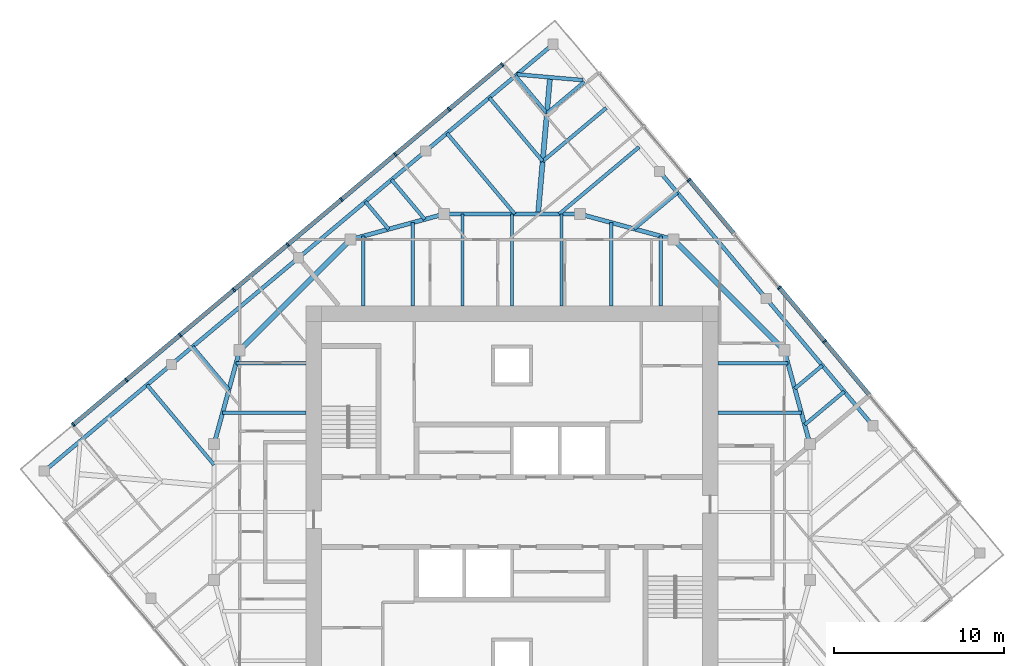
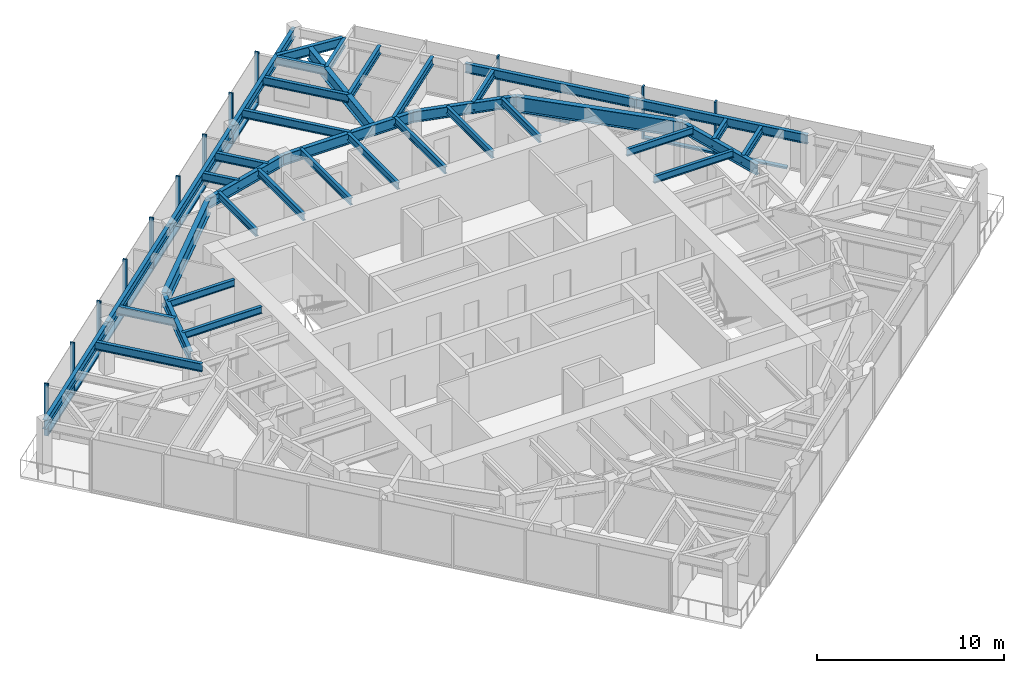
# One storey, part 4 of 12: 39 beams, 23 members, 2 elements without a shape of their own.
"""IFC4 building model written with IfcOpenShell, lengths in metres."""

from ifc_helpers import new_model, si_unit, direction, frame, origin, origin_2d, place, context, subcontext, project, spatial, rectangle, i_section, extrude, material, material_profile, profile_set, type_object, element, aggregate, save


model = new_model("IFC4")

# Units and contexts
model_context = context("Model", 3, precision=1e-05, world=origin(), true_north=direction((0.0, 1.0)))
body_context = subcontext(model_context, "Body", "Model", "MODEL_VIEW")
ifc_project = project(units=[si_unit("LENGTHUNIT", "METRE"), si_unit("AREAUNIT", "SQUARE_METRE"), si_unit("VOLUMEUNIT", "CUBIC_METRE"), si_unit("PLANEANGLEUNIT", "RADIAN"), si_unit("MASSUNIT", "GRAM", prefix="KILO")], contexts=[model_context])

# Site, building, storey
site_placement = place(None, origin())
site = spatial("IfcSite", under=ifc_project, at=site_placement, CompositionType="ELEMENT")
building_placement = place(site_placement, origin())
building = spatial("IfcBuilding", under=site, at=building_placement, Name="Torsade Residences", CompositionType="ELEMENT")
storey_placement = place(building_placement, frame((0.0, 0.0, 289.60009765625)))
storey = spatial("IfcBuildingStorey", under=building, at=storey_placement, Name="L80", CompositionType="ELEMENT", Elevation=289.60009765625)

# Beams
ifc_material_1 = material(Name="Steel grade 300", Category="steel")
ifc_material_profile_1 = material_profile(ifc_material_1, i_section(OverallWidth=0.300048828125, OverallDepth=0.800048828125, WebThickness=0.010009765625, FlangeThickness=0.02001953125, at=origin_2d()), Name="800WB146")
ifc_profile_set_1 = profile_set([ifc_material_profile_1], Name="Steel grade 300")
beam_type_1 = type_object("IfcBeamType", Name="CORNER GIRDER 800WB146", PredefinedType="BEAM", material=ifc_profile_set_1)
beam_1_placement = place(storey_placement, frame((42.234130859375, 55.53515625, 2.849853515625), z_axis=(-0.087172957961, -0.996193191806, 0.0), x_axis=(0.996193191806, -0.087172957961, 0.0)))
element("IfcBeam", 1, at=beam_1_placement, inside=storey, type_object=beam_type_1, Name="Corner girder 09 L81", PredefinedType="BEAM", context=body_context, shape_type="SweptSolid", body=[
    extrude(i_section(OverallWidth=0.300048828125, OverallDepth=0.800048828125, WebThickness=0.010009765625, FlangeThickness=0.02001953125, at=origin_2d()), origin(), (0.0, 0.0, 1.0), 8.06591796875),
])
ifc_material_2 = material(Name="Steel grade 300", Category="steel")
ifc_material_profile_2 = material_profile(ifc_material_2, i_section(OverallWidth=0.22802734375, OverallDepth=0.60205078125, WebThickness=0.010498046875, FlangeThickness=0.014892578125, FilletRadius=0.013916015625, at=origin_2d()), Name="610UB101")
ifc_profile_set_2 = profile_set([ifc_material_profile_2], Name="Steel grade 300")
beam_type_2 = type_object("IfcBeamType", Name="CORNER TRIMMER 610UB101", PredefinedType="BEAM", material=ifc_profile_set_2)
beam_2_placement = place(storey_placement, frame((40.296875, 55.70458984375, 2.948974609375), z_axis=(0.996196646947, -0.087133464362, 0.0), x_axis=(0.087133464362, 0.996196646947, 0.0)))
element("IfcBeam", 2, at=beam_2_placement, inside=storey, type_object=beam_type_2, Name="Corner trimmer 09 L81", PredefinedType="BEAM", context=body_context, shape_type="SweptSolid", body=[
    extrude(i_section(OverallWidth=0.22802734375, OverallDepth=0.60205078125, WebThickness=0.010498046875, FlangeThickness=0.014892578125, FilletRadius=0.013916015625, at=origin_2d()), origin(), (0.0, 0.0, 1.0), 3.88916015625),
])
ifc_material_3 = material(Name="Steel grade 300", Category="steel")
ifc_material_profile_3 = material_profile(ifc_material_3, i_section(OverallWidth=0.22802734375, OverallDepth=0.60205078125, WebThickness=0.010498046875, FlangeThickness=0.014892578125, FilletRadius=0.013916015625, at=origin_2d()), Name="610UB101")
ifc_profile_set_3 = profile_set([ifc_material_profile_3], Name="Steel grade 300")
beam_type_3 = type_object("IfcBeamType", Name="EDGE BEAM 610UB101", PredefinedType="SPANDREL", material=ifc_profile_set_3)
for number, where, z_axis, x_axis, name in (
    (3, (61.205078125, 35.0654296875, 2.948974609375), (-0.642779160279, 0.766051532934, 0.0), (-0.766051532934, -0.642779160279, 0.0), "Edge beam 06 L81"),
    (4, (54.93798828125, 42.534423828125, 2.948974609375), (-0.642806184154, 0.766028856906, 0.0), (-0.766028856906, -0.642806184154, 0.0), "Edge beam 07 L81"),
    (5, (42.403564453125, 57.47216796875, 2.948974609375), (-0.766051532934, -0.642779160279, 0.0), (0.642779160279, -0.766051532934, 0.0), "Edge beam 09 L81"),
    (6, (34.9345703125, 51.205078125, 2.948974609375), (-0.766051532934, -0.642779160279, 0.0), (0.642779160279, -0.766051532934, 0.0), "Edge beam 10 L81"),
    (7, (27.465576171875, 44.93798828125, 2.948974609375), (-0.766028856906, -0.642806184154, 0.0), (0.642806184154, -0.766028856906, 0.0), "Edge beam 11 L81"),
    (8, (19.996826171875, 38.670654296875, 2.948974609375), (-0.766051532934, -0.642779160279, 0.0), (0.642779160279, -0.766051532934, 0.0), "Edge beam 12 L81"),
):
    element("IfcBeam", number, at=place(storey_placement, frame(where, z_axis=z_axis, x_axis=x_axis)), inside=storey, type_object=beam_type_3, Name=name, PredefinedType="SPANDREL", context=body_context, shape_type="SweptSolid", body=[
        extrude(i_section(OverallWidth=0.22802734375, OverallDepth=0.60205078125, WebThickness=0.010498046875, FlangeThickness=0.014892578125, FilletRadius=0.013916015625, at=origin_2d()), origin(), (0.0, 0.0, 1.0), 9.75),
    ])

# Curtain wall, members
ifc_material_4 = material(Name="Aluminium and glass", Category="aluminium")
curtain_wall_type = type_object("IfcCurtainWallType", Name="FRITTED GLASS CURTAIN WALL HIGH ZONE", PredefinedType="NOTDEFINED", material=ifc_material_4)
curtain_wall_1_placement = place(storey_placement, origin())
curtain_wall_1 = element("IfcCurtainWall", 9, at=curtain_wall_1_placement, inside=storey, type_object=curtain_wall_type, Name="Curtain wall L80 face 4", PredefinedType="NOTDEFINED")
ifc_material_5 = material(Name="Aluminium mullion", Category="aluminium")
ifc_material_profile_4 = material_profile(ifc_material_5, rectangle(XDim=0.25, YDim=0.10009765625, at=origin_2d()), Name="HIGH ZONE CURTAIN WALL MULLION 250x100")
ifc_profile_set_4 = profile_set([ifc_material_profile_4], Name="Aluminium mullion")
member_type_1 = type_object("IfcMemberType", Name="HIGH ZONE CURTAIN WALL MULLION 250x100", PredefinedType="MULLION", material=ifc_profile_set_4)
member_1_placement = place(storey_placement, frame((58.35546875, 40.017333984375, 0.0), z_axis=(0.0, 0.0, 1.0), x_axis=(-0.766044437106, -0.642787616853, 0.0)))
member_1 = element("IfcMember", 10, at=member_1_placement, type_object=member_type_1, Name="Mullion 4", PredefinedType="MULLION", context=body_context, shape_type="SweptSolid", body=[
    extrude(rectangle(XDim=0.25, YDim=0.10009765625, at=origin_2d()), origin(), (0.0, 0.0, 1.0), 3.39990234375),
])
member_2_placement = place(storey_placement, frame((55.703857421875, 43.17724609375, 0.0), z_axis=(0.0, 0.0, 1.0), x_axis=(-0.766044437106, -0.642787616853, 0.0)))
member_2 = element("IfcMember", 11, at=member_2_placement, type_object=member_type_1, Name="Mullion 5", PredefinedType="MULLION", context=body_context, shape_type="SweptSolid", body=[
    extrude(rectangle(XDim=0.25, YDim=0.10009765625, at=origin_2d()), origin(), (0.0, 0.0, 1.0), 3.39990234375),
])
member_3_placement = place(storey_placement, frame((50.40087890625, 49.4970703125, 0.0), z_axis=(0.0, 0.0, 1.0), x_axis=(-0.766044437106, -0.642787616853, 0.0)))
member_3 = element("IfcMember", 12, at=member_3_placement, type_object=member_type_1, Name="Mullion 7", PredefinedType="MULLION", context=body_context, shape_type="SweptSolid", body=[
    extrude(rectangle(XDim=0.25, YDim=0.10009765625, at=origin_2d()), origin(), (0.0, 0.0, 1.0), 3.39990234375),
])

curtain_wall_2_placement = place(storey_placement, origin())
curtain_wall_2 = element("IfcCurtainWall", 13, at=curtain_wall_2_placement, inside=storey, type_object=curtain_wall_type, Name="Curtain wall L80 face 7", PredefinedType="NOTDEFINED")
member_4_placement = place(storey_placement, frame((39.42431640625, 56.27783203125, 0.0), z_axis=(0.0, 0.0, 1.0), x_axis=(0.642787616853, -0.766044437106, 0.0)))
member_4 = element("IfcMember", 14, at=member_4_placement, type_object=member_type_1, Name="Mullion 1", PredefinedType="MULLION", context=body_context, shape_type="SweptSolid", body=[
    extrude(rectangle(XDim=0.25, YDim=0.10009765625, at=origin_2d()), origin(), (0.0, 0.0, 1.0), 3.39990234375),
])
member_5_placement = place(storey_placement, frame((36.302734375, 53.658447265625, 0.0), z_axis=(0.0, 0.0, 1.0), x_axis=(0.642787616853, -0.766044437106, 0.0)))
member_5 = element("IfcMember", 15, at=member_5_placement, type_object=member_type_1, Name="Mullion 2", PredefinedType="MULLION", context=body_context, shape_type="SweptSolid", body=[
    extrude(rectangle(XDim=0.25, YDim=0.10009765625, at=origin_2d()), origin(), (0.0, 0.0, 1.0), 3.39990234375),
])
member_6_placement = place(storey_placement, frame((33.142822265625, 51.0068359375, 0.0), z_axis=(0.0, 0.0, 1.0), x_axis=(0.642787616853, -0.766044437106, 0.0)))
member_6 = element("IfcMember", 16, at=member_6_placement, type_object=member_type_1, Name="Mullion 3", PredefinedType="MULLION", context=body_context, shape_type="SweptSolid", body=[
    extrude(rectangle(XDim=0.25, YDim=0.10009765625, at=origin_2d()), origin(), (0.0, 0.0, 1.0), 3.39990234375),
])
member_7_placement = place(storey_placement, frame((29.982666015625, 48.35546875, 0.0), z_axis=(0.0, 0.0, 1.0), x_axis=(0.642787616853, -0.766044437106, 0.0)))
member_7 = element("IfcMember", 17, at=member_7_placement, type_object=member_type_1, Name="Mullion 4", PredefinedType="MULLION", context=body_context, shape_type="SweptSolid", body=[
    extrude(rectangle(XDim=0.25, YDim=0.10009765625, at=origin_2d()), origin(), (0.0, 0.0, 1.0), 3.39990234375),
])
member_8_placement = place(storey_placement, frame((26.82275390625, 45.703857421875, 0.0), z_axis=(0.0, 0.0, 1.0), x_axis=(0.642787616853, -0.766044437106, 0.0)))
member_8 = element("IfcMember", 18, at=member_8_placement, type_object=member_type_1, Name="Mullion 5", PredefinedType="MULLION", context=body_context, shape_type="SweptSolid", body=[
    extrude(rectangle(XDim=0.25, YDim=0.10009765625, at=origin_2d()), origin(), (0.0, 0.0, 1.0), 3.39990234375),
])
member_9_placement = place(storey_placement, frame((23.662841796875, 43.052490234375, 0.0), z_axis=(0.0, 0.0, 1.0), x_axis=(0.642787616853, -0.766044437106, 0.0)))
member_9 = element("IfcMember", 19, at=member_9_placement, type_object=member_type_1, Name="Mullion 6", PredefinedType="MULLION", context=body_context, shape_type="SweptSolid", body=[
    extrude(rectangle(XDim=0.25, YDim=0.10009765625, at=origin_2d()), origin(), (0.0, 0.0, 1.0), 3.39990234375),
])
member_10_placement = place(storey_placement, frame((20.5029296875, 40.40087890625, 0.0), z_axis=(0.0, 0.0, 1.0), x_axis=(0.642787616853, -0.766044437106, 0.0)))
member_10 = element("IfcMember", 20, at=member_10_placement, type_object=member_type_1, Name="Mullion 7", PredefinedType="MULLION", context=body_context, shape_type="SweptSolid", body=[
    extrude(rectangle(XDim=0.25, YDim=0.10009765625, at=origin_2d()), origin(), (0.0, 0.0, 1.0), 3.39990234375),
])
member_11_placement = place(storey_placement, frame((17.343017578125, 37.74951171875, 0.0), z_axis=(0.0, 0.0, 1.0), x_axis=(0.642787616853, -0.766044437106, 0.0)))
member_11 = element("IfcMember", 21, at=member_11_placement, type_object=member_type_1, Name="Mullion 8", PredefinedType="MULLION", context=body_context, shape_type="SweptSolid", body=[
    extrude(rectangle(XDim=0.25, YDim=0.10009765625, at=origin_2d()), origin(), (0.0, 0.0, 1.0), 3.39990234375),
])
member_12_placement = place(storey_placement, frame((14.221435546875, 35.130126953125, 0.0), z_axis=(0.0, 0.0, 1.0), x_axis=(0.642787616853, -0.766044437106, 0.0)))
member_12 = element("IfcMember", 22, at=member_12_placement, type_object=member_type_1, Name="Mullion 9", PredefinedType="MULLION", context=body_context, shape_type="SweptSolid", body=[
    extrude(rectangle(XDim=0.25, YDim=0.10009765625, at=origin_2d()), origin(), (0.0, 0.0, 1.0), 3.39990234375),
])

# Member
ifc_material_6 = material(Name="Aluminium transom", Category="aluminium")
ifc_material_profile_5 = material_profile(ifc_material_6, rectangle(XDim=0.25, YDim=0.1201171875, at=origin_2d()), Name="HIGH ZONE CURTAIN WALL TRANSOM 250x120")
ifc_profile_set_5 = profile_set([ifc_material_profile_5], Name="Aluminium transom")
member_type_2 = type_object("IfcMemberType", Name="HIGH ZONE CURTAIN WALL TRANSOM 250x120", PredefinedType="USERDEFINED", material=ifc_profile_set_5)
member_13_placement = place(storey_placement, frame((60.974853515625, 36.8955078125, 0.059814453125), z_axis=(-0.642793719372, 0.766039316443, 0.0), x_axis=(-0.766039316443, -0.642793719372, 0.0)))
member_13 = element("IfcMember", 23, at=member_13_placement, type_object=member_type_2, Name="Transom 3.1", ObjectType="TRANSOM", PredefinedType="USERDEFINED", context=body_context, shape_type="SweptSolid", body=[
    extrude(rectangle(XDim=0.25, YDim=0.1201171875, at=origin_2d()), origin(), (0.0, 0.0, 1.0), 4.025146484375),
])

member_14_placement = place(storey_placement, frame((58.3232421875, 40.055419921875, 0.059814453125), z_axis=(-0.6427581255, 0.766069182322, 0.0), x_axis=(-0.766069182322, -0.6427581255, 0.0)))
member_14 = element("IfcMember", 24, at=member_14_placement, type_object=member_type_2, Name="Transom 4.1", ObjectType="TRANSOM", PredefinedType="USERDEFINED", context=body_context, shape_type="SweptSolid", body=[
    extrude(rectangle(XDim=0.25, YDim=0.1201171875, at=origin_2d()), origin(), (0.0, 0.0, 1.0), 4.025146484375),
])

member_15_placement = place(storey_placement, frame((53.020263671875, 46.37548828125, 0.059814453125), z_axis=(-0.642787992616, 0.766044121803, 0.0), x_axis=(-0.766044121803, -0.642787992616, 0.0)))
member_15 = element("IfcMember", 25, at=member_15_placement, type_object=member_type_2, Name="Transom 6.1", ObjectType="TRANSOM", PredefinedType="USERDEFINED", context=body_context, shape_type="SweptSolid", body=[
    extrude(rectangle(XDim=0.25, YDim=0.1201171875, at=origin_2d()), origin(), (0.0, 0.0, 1.0), 4.02490234375),
])

aggregate(curtain_wall_1, [member_1, member_2, member_3, member_13, member_14, member_15])

member_16_placement = place(storey_placement, frame((39.385986328125, 56.24560546875, 0.059814453125), z_axis=(-0.766021778456, -0.642814619413, 0.0), x_axis=(0.642814619413, -0.766021778456, 0.0)))
member_16 = element("IfcMember", 26, at=member_16_placement, type_object=member_type_2, Name="Transom 1.1", ObjectType="TRANSOM", PredefinedType="USERDEFINED", context=body_context, shape_type="SweptSolid", body=[
    extrude(rectangle(XDim=0.25, YDim=0.1201171875, at=origin_2d()), origin(), (0.0, 0.0, 1.0), 3.97509765625),
])

member_17_placement = place(storey_placement, frame((36.264404296875, 53.626220703125, 0.059814453125), z_axis=(-0.766069182322, -0.6427581255, 0.0), x_axis=(0.6427581255, -0.766069182322, 0.0)))
member_17 = element("IfcMember", 27, at=member_17_placement, type_object=member_type_2, Name="Transom 2.1", ObjectType="TRANSOM", PredefinedType="USERDEFINED", context=body_context, shape_type="SweptSolid", body=[
    extrude(rectangle(XDim=0.25, YDim=0.1201171875, at=origin_2d()), origin(), (0.0, 0.0, 1.0), 4.025146484375),
])

member_18_placement = place(storey_placement, frame((33.1044921875, 50.974853515625, 0.059814453125), z_axis=(-0.766039316443, -0.642793719372, 0.0), x_axis=(0.642793719372, -0.766039316443, 0.0)))
member_18 = element("IfcMember", 28, at=member_18_placement, type_object=member_type_2, Name="Transom 3.1", ObjectType="TRANSOM", PredefinedType="USERDEFINED", context=body_context, shape_type="SweptSolid", body=[
    extrude(rectangle(XDim=0.25, YDim=0.1201171875, at=origin_2d()), origin(), (0.0, 0.0, 1.0), 4.025146484375),
])

member_19_placement = place(storey_placement, frame((29.944580078125, 48.3232421875, 0.059814453125), z_axis=(-0.766069182322, -0.6427581255, 0.0), x_axis=(0.6427581255, -0.766069182322, 0.0)))
member_19 = element("IfcMember", 29, at=member_19_placement, type_object=member_type_2, Name="Transom 4.1", ObjectType="TRANSOM", PredefinedType="USERDEFINED", context=body_context, shape_type="SweptSolid", body=[
    extrude(rectangle(XDim=0.25, YDim=0.1201171875, at=origin_2d()), origin(), (0.0, 0.0, 1.0), 4.025146484375),
])

member_20_placement = place(storey_placement, frame((26.78466796875, 45.671875, 0.059814453125), z_axis=(-0.766039316443, -0.642793719372, 0.0), x_axis=(0.642793719372, -0.766039316443, 0.0)))
member_20 = element("IfcMember", 30, at=member_20_placement, type_object=member_type_2, Name="Transom 5.1", ObjectType="TRANSOM", PredefinedType="USERDEFINED", context=body_context, shape_type="SweptSolid", body=[
    extrude(rectangle(XDim=0.25, YDim=0.1201171875, at=origin_2d()), origin(), (0.0, 0.0, 1.0), 4.025146484375),
])

member_21_placement = place(storey_placement, frame((23.62451171875, 43.020263671875, 0.059814453125), z_axis=(-0.766044121803, -0.642787992616, 0.0), x_axis=(0.642787992616, -0.766044121803, 0.0)))
member_21 = element("IfcMember", 31, at=member_21_placement, type_object=member_type_2, Name="Transom 6.1", ObjectType="TRANSOM", PredefinedType="USERDEFINED", context=body_context, shape_type="SweptSolid", body=[
    extrude(rectangle(XDim=0.25, YDim=0.1201171875, at=origin_2d()), origin(), (0.0, 0.0, 1.0), 4.02490234375),
])

member_22_placement = place(storey_placement, frame((20.464599609375, 40.36865234375, 0.059814453125), z_axis=(-0.766044121803, -0.642787992616, 0.0), x_axis=(0.642787992616, -0.766044121803, 0.0)))
member_22 = element("IfcMember", 32, at=member_22_placement, type_object=member_type_2, Name="Transom 7.1", ObjectType="TRANSOM", PredefinedType="USERDEFINED", context=body_context, shape_type="SweptSolid", body=[
    extrude(rectangle(XDim=0.25, YDim=0.1201171875, at=origin_2d()), origin(), (0.0, 0.0, 1.0), 4.02490234375),
])

member_23_placement = place(storey_placement, frame((17.3046875, 37.71728515625, 0.059814453125), z_axis=(-0.766021778456, -0.642814619413, 0.0), x_axis=(0.642814619413, -0.766021778456, 0.0)))
member_23 = element("IfcMember", 33, at=member_23_placement, type_object=member_type_2, Name="Transom 8.1", ObjectType="TRANSOM", PredefinedType="USERDEFINED", context=body_context, shape_type="SweptSolid", body=[
    extrude(rectangle(XDim=0.25, YDim=0.1201171875, at=origin_2d()), origin(), (0.0, 0.0, 1.0), 3.97509765625),
])

aggregate(curtain_wall_2, [member_4, member_5, member_6, member_7, member_8, member_9, member_10, member_11, member_12, member_16, member_17, member_18, member_19, member_20, member_21, member_22, member_23])

# Beams
ifc_material_7 = material(Name="Steel grade 300", Category="steel")
ifc_material_profile_6 = material_profile(ifc_material_7, i_section(OverallWidth=0.18994140625, OverallDepth=0.4541015625, WebThickness=0.008544921875, FlangeThickness=0.0126953125, FilletRadius=0.011474609375, at=origin_2d()), Name="460UB67.1")
ifc_profile_set_6 = profile_set([ifc_material_profile_6], Name="Steel grade 300")
beam_type_4 = type_object("IfcBeamType", Name="INNER FLOOR BEAM 460UB67.1", PredefinedType="JOIST", material=ifc_profile_set_6)
beam_3_placement = place(storey_placement, frame((31.262451171875, 42.10009765625, 3.02294921875), z_axis=(0.0, 1.0, 0.0), x_axis=(-1.0, 0.0, 0.0)))
element("IfcBeam", 34, at=beam_3_placement, inside=storey, type_object=beam_type_4, Name="Inner floor beam IN01 L81", PredefinedType="JOIST", context=body_context, shape_type="SweptSolid", body=[
    extrude(i_section(OverallWidth=0.18994140625, OverallDepth=0.4541015625, WebThickness=0.008544921875, FlangeThickness=0.0126953125, FilletRadius=0.011474609375, at=origin_2d()), origin(), (0.0, 0.0, 1.0), 4.10791015625),
])
beam_4_placement = place(storey_placement, frame((34.175048828125, 42.10009765625, 3.02294921875), z_axis=(0.0, 1.0, 0.0), x_axis=(-1.0, 0.0, 0.0)))
element("IfcBeam", 35, at=beam_4_placement, inside=storey, type_object=beam_type_4, Name="Inner floor beam IN02 L81", PredefinedType="JOIST", context=body_context, shape_type="SweptSolid", body=[
    extrude(i_section(OverallWidth=0.18994140625, OverallDepth=0.4541015625, WebThickness=0.008544921875, FlangeThickness=0.0126953125, FilletRadius=0.011474609375, at=origin_2d()), origin(), (0.0, 0.0, 1.0), 4.902099609375),
])
for number, where, z_axis, x_axis, name in (
    (36, (37.08740234375, 42.10009765625, 3.02294921875), (0.0, 1.0, 0.0), (-1.0, 0.0, 0.0), "Inner floor beam IN03 L81"),
    (37, (40.0, 42.10009765625, 3.02294921875), (0.0, 1.0, 0.0), (-1.0, 0.0, 0.0), "Inner floor beam IN04 L81"),
    (38, (42.91259765625, 42.10009765625, 3.02294921875), (0.0, 1.0, 0.0), (-1.0, 0.0, 0.0), "Inner floor beam IN05 L81"),
):
    element("IfcBeam", number, at=place(storey_placement, frame(where, z_axis=z_axis, x_axis=x_axis)), inside=storey, type_object=beam_type_4, Name=name, PredefinedType="JOIST", context=body_context, shape_type="SweptSolid", body=[
        extrude(i_section(OverallWidth=0.18994140625, OverallDepth=0.4541015625, WebThickness=0.008544921875, FlangeThickness=0.0126953125, FilletRadius=0.011474609375, at=origin_2d()), origin(), (0.0, 0.0, 1.0), 5.39990234375),
    ])
beam_5_placement = place(storey_placement, frame((45.824951171875, 42.10009765625, 3.02294921875), z_axis=(0.0, 1.0, 0.0), x_axis=(-1.0, 0.0, 0.0)))
element("IfcBeam", 39, at=beam_5_placement, inside=storey, type_object=beam_type_4, Name="Inner floor beam IN06 L81", PredefinedType="JOIST", context=body_context, shape_type="SweptSolid", body=[
    extrude(i_section(OverallWidth=0.18994140625, OverallDepth=0.4541015625, WebThickness=0.008544921875, FlangeThickness=0.0126953125, FilletRadius=0.011474609375, at=origin_2d()), origin(), (0.0, 0.0, 1.0), 4.902099609375),
])
beam_6_placement = place(storey_placement, frame((48.737548828125, 42.10009765625, 3.02294921875), z_axis=(0.0, 1.0, 0.0), x_axis=(-1.0, 0.0, 0.0)))
element("IfcBeam", 40, at=beam_6_placement, inside=storey, type_object=beam_type_4, Name="Inner floor beam IN07 L81", PredefinedType="JOIST", context=body_context, shape_type="SweptSolid", body=[
    extrude(i_section(OverallWidth=0.18994140625, OverallDepth=0.4541015625, WebThickness=0.008544921875, FlangeThickness=0.0126953125, FilletRadius=0.011474609375, at=origin_2d()), origin(), (0.0, 0.0, 1.0), 4.10791015625),
])
beam_7_placement = place(storey_placement, frame((52.10009765625, 35.824951171875, 3.02294921875), z_axis=(1.0, 0.0, 0.0), x_axis=(0.0, 1.0, 0.0)))
element("IfcBeam", 41, at=beam_7_placement, inside=storey, type_object=beam_type_4, Name="Inner floor beam IE06 L81", PredefinedType="JOIST", context=body_context, shape_type="SweptSolid", body=[
    extrude(i_section(OverallWidth=0.18994140625, OverallDepth=0.4541015625, WebThickness=0.008544921875, FlangeThickness=0.0126953125, FilletRadius=0.011474609375, at=origin_2d()), origin(), (0.0, 0.0, 1.0), 4.902099609375),
])
for number, where, z_axis, x_axis, name in (
    (42, (52.10009765625, 38.737548828125, 3.02294921875), (1.0, 0.0, 0.0), (0.0, 1.0, 0.0), "Inner floor beam IE07 L81"),
    (43, (27.89990234375, 38.737548828125, 3.02294921875), (-1.0, 0.0, 0.0), (0.0, -1.0, 0.0), "Inner floor beam IW01 L81"),
):
    element("IfcBeam", number, at=place(storey_placement, frame(where, z_axis=z_axis, x_axis=x_axis)), inside=storey, type_object=beam_type_4, Name=name, PredefinedType="JOIST", context=body_context, shape_type="SweptSolid", body=[
        extrude(i_section(OverallWidth=0.18994140625, OverallDepth=0.4541015625, WebThickness=0.008544921875, FlangeThickness=0.0126953125, FilletRadius=0.011474609375, at=origin_2d()), origin(), (0.0, 0.0, 1.0), 4.10791015625),
    ])
beam_8_placement = place(storey_placement, frame((27.89990234375, 35.824951171875, 3.02294921875), z_axis=(-1.0, 0.0, 0.0), x_axis=(0.0, -1.0, 0.0)))
element("IfcBeam", 44, at=beam_8_placement, inside=storey, type_object=beam_type_4, Name="Inner floor beam IW02 L81", PredefinedType="JOIST", context=body_context, shape_type="SweptSolid", body=[
    extrude(i_section(OverallWidth=0.18994140625, OverallDepth=0.4541015625, WebThickness=0.008544921875, FlangeThickness=0.0126953125, FilletRadius=0.011474609375, at=origin_2d()), origin(), (0.0, 0.0, 1.0), 4.902099609375),
])
ifc_material_8 = material(Name="Steel grade 300", Category="steel")
ifc_material_profile_7 = material_profile(ifc_material_8, i_section(OverallWidth=0.300048828125, OverallDepth=1.0, WebThickness=0.01611328125, FlangeThickness=0.028076171875, at=origin_2d()), Name="1000WB215")
ifc_profile_set_7 = profile_set([ifc_material_profile_7], Name="Steel grade 300")
beam_type_5 = type_object("IfcBeamType", Name="RING CORNER GIRDER 1000WB215", PredefinedType="BEAM", material=ifc_profile_set_7)
for number, where, z_axis, x_axis, name in (
    (45, (56.0, 39.5, 2.75), (-0.707106781187, 0.707106781187, 0.0), (-0.707106781187, -0.707106781187, 0.0), "Ring girder IR03 L81"),
    (46, (30.5, 46.0, 2.75), (-0.707106781187, -0.707106781187, 0.0), (0.707106781187, -0.707106781187, 0.0), "Ring girder IR07 L81"),
):
    element("IfcBeam", number, at=place(storey_placement, frame(where, z_axis=z_axis, x_axis=x_axis)), inside=storey, type_object=beam_type_5, Name=name, PredefinedType="BEAM", context=body_context, shape_type="SweptSolid", body=[
        extrude(i_section(OverallWidth=0.300048828125, OverallDepth=1.0, WebThickness=0.01611328125, FlangeThickness=0.028076171875, at=origin_2d()), origin(), (0.0, 0.0, 1.0), 9.1923828125),
    ])
ifc_material_9 = material(Name="Steel grade 300", Category="steel")
ifc_material_profile_8 = material_profile(ifc_material_9, i_section(OverallWidth=0.25, OverallDepth=0.699951171875, WebThickness=0.010009765625, FlangeThickness=0.02001953125, at=origin_2d()), Name="700WB130")
ifc_profile_set_8 = profile_set([ifc_material_profile_8], Name="Steel grade 300")
beam_type_6 = type_object("IfcBeamType", Name="RING GIRDER 700WB130", PredefinedType="BEAM", material=ifc_profile_set_8)
for number, where, z_axis, x_axis, name in (
    (47, (57.5, 34.0, 2.89990234375), (-0.263117405792, 0.964763821238, 0.0), (-0.964763821238, -0.263117405792, 0.0), "Ring girder IR02 L81"),
    (48, (49.5, 46.0, 2.89990234375), (-0.964763821238, 0.263117405792, 0.0), (-0.263117405792, -0.964763821238, 0.0), "Ring girder IR04 L81"),
):
    element("IfcBeam", number, at=place(storey_placement, frame(where, z_axis=z_axis, x_axis=x_axis)), inside=storey, type_object=beam_type_6, Name=name, PredefinedType="BEAM", context=body_context, shape_type="SweptSolid", body=[
        extrude(i_section(OverallWidth=0.25, OverallDepth=0.699951171875, WebThickness=0.010009765625, FlangeThickness=0.02001953125, at=origin_2d()), origin(), (0.0, 0.0, 1.0), 5.700927734375),
    ])
beam_9_placement = place(storey_placement, frame((44.0, 47.5, 2.89990234375), z_axis=(-1.0, 0.0, 0.0), x_axis=(0.0, -1.0, 0.0)))
element("IfcBeam", 49, at=beam_9_placement, inside=storey, type_object=beam_type_6, Name="Ring girder IR05 L81", PredefinedType="BEAM", context=body_context, shape_type="SweptSolid", body=[
    extrude(i_section(OverallWidth=0.25, OverallDepth=0.699951171875, WebThickness=0.010009765625, FlangeThickness=0.02001953125, at=origin_2d()), origin(), (0.0, 0.0, 1.0), 8.0),
])
for number, where, z_axis, x_axis, name in (
    (50, (36.0, 47.5, 2.89990234375), (-0.964763821238, -0.263117405792, 0.0), (0.263117405792, -0.964763821238, 0.0), "Ring girder IR06 L81"),
    (51, (24.0, 39.5, 2.89990234375), (-0.263117405792, -0.964763821238, 0.0), (0.964763821238, -0.263117405792, 0.0), "Ring girder IR08 L81"),
):
    element("IfcBeam", number, at=place(storey_placement, frame(where, z_axis=z_axis, x_axis=x_axis)), inside=storey, type_object=beam_type_6, Name=name, PredefinedType="BEAM", context=body_context, shape_type="SweptSolid", body=[
        extrude(i_section(OverallWidth=0.25, OverallDepth=0.699951171875, WebThickness=0.010009765625, FlangeThickness=0.02001953125, at=origin_2d()), origin(), (0.0, 0.0, 1.0), 5.700927734375),
    ])
ifc_material_10 = material(Name="Steel grade 300", Category="steel")
ifc_material_profile_9 = material_profile(ifc_material_10, i_section(OverallWidth=0.208984375, OverallDepth=0.532958984375, WebThickness=0.01025390625, FlangeThickness=0.015625, FilletRadius=0.013916015625, at=origin_2d()), Name="530UB92.4")
ifc_profile_set_9 = profile_set([ifc_material_profile_9], Name="Steel grade 300")
beam_type_7 = type_object("IfcBeamType", Name="SECONDARY BEAM 530UB92.4", PredefinedType="JOIST", material=ifc_profile_set_9)
beam_10_placement = place(storey_placement, frame((59.517822265625, 37.076171875, 2.9833984375), z_axis=(-0.766080361029, -0.64274480196, 0.0), x_axis=(0.64274480196, -0.766080361029, 0.0)))
element("IfcBeam", 52, at=beam_10_placement, inside=storey, type_object=beam_type_7, Name="Floor beam FE04 L81", PredefinedType="JOIST", context=body_context, shape_type="SweptSolid", body=[
    extrude(i_section(OverallWidth=0.208984375, OverallDepth=0.532958984375, WebThickness=0.01025390625, FlangeThickness=0.015625, FilletRadius=0.013916015625, at=origin_2d()), origin(), (0.0, 0.0, 1.0), 3.03466796875),
])
beam_11_placement = place(storey_placement, frame((58.232177734375, 38.6083984375, 2.9833984375), z_axis=(-0.766057560226, -0.642771977004, 0.0), x_axis=(0.642771977004, -0.766057560226, 0.0)))
element("IfcBeam", 53, at=beam_11_placement, inside=storey, type_object=beam_type_7, Name="Floor beam FE05 L81", PredefinedType="JOIST", context=body_context, shape_type="SweptSolid", body=[
    extrude(i_section(OverallWidth=0.208984375, OverallDepth=0.532958984375, WebThickness=0.01025390625, FlangeThickness=0.015625, FilletRadius=0.013916015625, at=origin_2d()), origin(), (0.0, 0.0, 1.0), 2.113037109375),
])
beam_12_placement = place(storey_placement, frame((49.71533203125, 48.758544921875, 2.9833984375), z_axis=(-0.766044990879, -0.642786956891, 0.0), x_axis=(0.642786956891, -0.766044990879, 0.0)))
element("IfcBeam", 54, at=beam_12_placement, inside=storey, type_object=beam_type_7, Name="Floor beam FE09 L81", PredefinedType="JOIST", context=body_context, shape_type="SweptSolid", body=[
    extrude(i_section(OverallWidth=0.208984375, OverallDepth=0.532958984375, WebThickness=0.01025390625, FlangeThickness=0.015625, FilletRadius=0.013916015625, at=origin_2d()), origin(), (0.0, 0.0, 1.0), 3.307861328125),
])
beam_13_placement = place(storey_placement, frame((47.465576171875, 51.439697265625, 2.9833984375), z_axis=(-0.766039049329, -0.642794037701, 0.0), x_axis=(0.642794037701, -0.766039049329, 0.0)))
element("IfcBeam", 55, at=beam_13_placement, inside=storey, type_object=beam_type_7, Name="Floor beam FE10 L81", PredefinedType="JOIST", context=body_context, shape_type="SweptSolid", body=[
    extrude(i_section(OverallWidth=0.208984375, OverallDepth=0.532958984375, WebThickness=0.01025390625, FlangeThickness=0.015625, FilletRadius=0.013916015625, at=origin_2d()), origin(), (0.0, 0.0, 1.0), 6.12890625),
])
beam_14_placement = place(storey_placement, frame((45.537109375, 53.73779296875, 2.9833984375), z_axis=(-0.766041186946, -0.642791490223, 0.0), x_axis=(0.642791490223, -0.766041186946, 0.0)))
element("IfcBeam", 56, at=beam_14_placement, inside=storey, type_object=beam_type_7, Name="Floor beam FE11 L81", PredefinedType="JOIST", context=body_context, shape_type="SweptSolid", body=[
    extrude(i_section(OverallWidth=0.208984375, OverallDepth=0.532958984375, WebThickness=0.01025390625, FlangeThickness=0.015625, FilletRadius=0.013916015625, at=origin_2d()), origin(), (0.0, 0.0, 1.0), 4.875),
])
for number, where, z_axis, x_axis, name in (
    (57, (44.25146484375, 55.269775390625, 2.9833984375), (-0.766066093402, -0.642761807001, 0.0), (0.642761807001, -0.766066093402, 0.0), "Floor beam FE12 L81"),
    (58, (40.201171875, 55.624267578125, 2.9833984375), (0.642761807001, -0.766066093402, 0.0), (0.766066093402, 0.642761807001, 0.0), "Floor beam FN01 L81"),
):
    element("IfcBeam", number, at=place(storey_placement, frame(where, z_axis=z_axis, x_axis=x_axis)), inside=storey, type_object=beam_type_7, Name=name, PredefinedType="JOIST", context=body_context, shape_type="SweptSolid", body=[
        extrude(i_section(OverallWidth=0.208984375, OverallDepth=0.532958984375, WebThickness=0.01025390625, FlangeThickness=0.015625, FilletRadius=0.013916015625, at=origin_2d()), origin(), (0.0, 0.0, 1.0), 2.875),
    ])
beam_15_placement = place(storey_placement, frame((38.6689453125, 54.338623046875, 2.9833984375), z_axis=(0.642820877376, -0.766016526982, 0.0), x_axis=(0.766016526982, 0.642820877376, 0.0)))
element("IfcBeam", 59, at=beam_15_placement, inside=storey, type_object=beam_type_7, Name="Floor beam FN02 L81", PredefinedType="JOIST", context=body_context, shape_type="SweptSolid", body=[
    extrude(i_section(OverallWidth=0.208984375, OverallDepth=0.532958984375, WebThickness=0.01025390625, FlangeThickness=0.015625, FilletRadius=0.013916015625, at=origin_2d()), origin(), (0.0, 0.0, 1.0), 4.875),
])
beam_16_placement = place(storey_placement, frame((36.179443359375, 52.24951171875, 2.9833984375), z_axis=(0.642791209238, -0.766041422722, 0.0), x_axis=(0.766041422722, 0.642791209238, 0.0)))
element("IfcBeam", 60, at=beam_16_placement, inside=storey, type_object=beam_type_7, Name="Floor beam FN03 L81", PredefinedType="JOIST", context=body_context, shape_type="SweptSolid", body=[
    extrude(i_section(OverallWidth=0.208984375, OverallDepth=0.532958984375, WebThickness=0.01025390625, FlangeThickness=0.015625, FilletRadius=0.013916015625, at=origin_2d()), origin(), (0.0, 0.0, 1.0), 6.199951171875),
])
beam_17_placement = place(storey_placement, frame((32.923828125, 49.517822265625, 2.9833984375), z_axis=(0.64274480196, -0.766080361029, 0.0), x_axis=(0.766080361029, 0.64274480196, 0.0)))
element("IfcBeam", 61, at=beam_17_placement, inside=storey, type_object=beam_type_7, Name="Floor beam FN04 L81", PredefinedType="JOIST", context=body_context, shape_type="SweptSolid", body=[
    extrude(i_section(OverallWidth=0.208984375, OverallDepth=0.532958984375, WebThickness=0.01025390625, FlangeThickness=0.015625, FilletRadius=0.013916015625, at=origin_2d()), origin(), (0.0, 0.0, 1.0), 3.03466796875),
])
beam_18_placement = place(storey_placement, frame((31.3916015625, 48.232177734375, 2.9833984375), z_axis=(0.642771977004, -0.766057560226, 0.0), x_axis=(0.766057560226, 0.642771977004, 0.0)))
element("IfcBeam", 62, at=beam_18_placement, inside=storey, type_object=beam_type_7, Name="Floor beam FN05 L81", PredefinedType="JOIST", context=body_context, shape_type="SweptSolid", body=[
    extrude(i_section(OverallWidth=0.208984375, OverallDepth=0.532958984375, WebThickness=0.01025390625, FlangeThickness=0.015625, FilletRadius=0.013916015625, at=origin_2d()), origin(), (0.0, 0.0, 1.0), 2.113037109375),
])
beam_19_placement = place(storey_placement, frame((21.241455078125, 39.71533203125, 2.9833984375), z_axis=(0.642786956891, -0.766044990879, 0.0), x_axis=(0.766044990879, 0.642786956891, 0.0)))
element("IfcBeam", 63, at=beam_19_placement, inside=storey, type_object=beam_type_7, Name="Floor beam FN09 L81", PredefinedType="JOIST", context=body_context, shape_type="SweptSolid", body=[
    extrude(i_section(OverallWidth=0.208984375, OverallDepth=0.532958984375, WebThickness=0.01025390625, FlangeThickness=0.015625, FilletRadius=0.013916015625, at=origin_2d()), origin(), (0.0, 0.0, 1.0), 3.307861328125),
])
beam_20_placement = place(storey_placement, frame((18.560302734375, 37.465576171875, 2.9833984375), z_axis=(0.642794037701, -0.766039049329, 0.0), x_axis=(0.766039049329, 0.642794037701, 0.0)))
element("IfcBeam", 64, at=beam_20_placement, inside=storey, type_object=beam_type_7, Name="Floor beam FN10 L81", PredefinedType="JOIST", context=body_context, shape_type="SweptSolid", body=[
    extrude(i_section(OverallWidth=0.208984375, OverallDepth=0.532958984375, WebThickness=0.01025390625, FlangeThickness=0.015625, FilletRadius=0.013916015625, at=origin_2d()), origin(), (0.0, 0.0, 1.0), 6.12890625),
])

save(model, "model.ifc")
